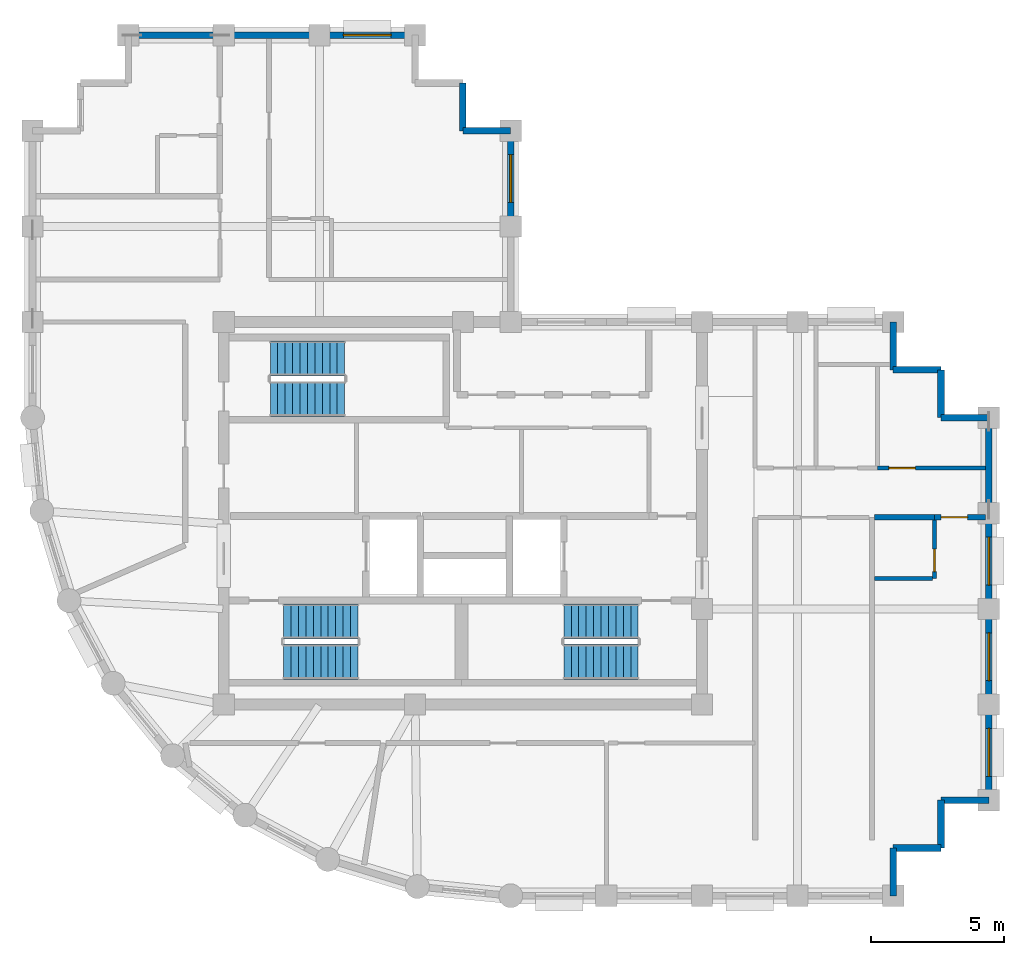
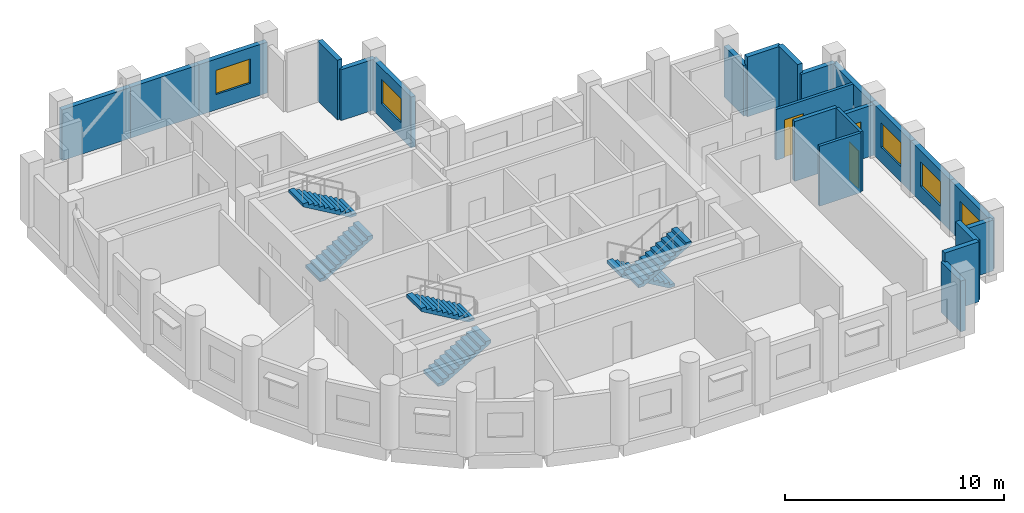
# One storey, part 5 of 7: 23 walls, 6 stair flights, 5 windows, 3 doors, 8 openings, 3 elements without a shape of their own.
"""IFC4 building model written with IfcOpenShell, lengths in metres."""

from ifc_helpers import new_model, si_unit, direction, frame, frame_2d, origin, place, context, subcontext, project, spatial, polyline, rectangle, outline, extrude, material, layer, layer_set, type_object, element, fill, aggregate, save


model = new_model("IFC4")

# Units and contexts
model_context = context("Model", 3, precision=1e-05, world=origin(), true_north=direction((0.0, 1.0)))
body_context = subcontext(model_context, "Body", "Model", "MODEL_VIEW")
ifc_project = project(units=[si_unit("LENGTHUNIT", "METRE"), si_unit("AREAUNIT", "SQUARE_METRE"), si_unit("VOLUMEUNIT", "CUBIC_METRE"), si_unit("PLANEANGLEUNIT", "RADIAN"), si_unit("MASSUNIT", "GRAM", prefix="KILO")], contexts=[model_context])

# Site, building, storey
site_placement = place(None, origin())
site = spatial("IfcSite", under=ifc_project, at=site_placement, CompositionType="ELEMENT")
building_placement = place(site_placement, origin())
building = spatial("IfcBuilding", under=site, at=building_placement, Name="Solnavia Interchange Tower", CompositionType="ELEMENT")
storey_placement = place(building_placement, frame((0.0, 0.0, 235.39990234375)))
storey = spatial("IfcBuildingStorey", under=building, at=storey_placement, Name="L59", CompositionType="ELEMENT", Elevation=235.39990234375)

# Wall
ifc_material_1 = material(Name="Gypsum Acoustic Twin-Stud & Mineral Wool", Category="gypsum")
ifc_layer_1 = layer(ifc_material_1, 0.199951171875)
ifc_layer_set_1 = layer_set([ifc_layer_1], Name="Gypsum Acoustic Twin-Stud & Mineral Wool")
wall_type_1 = type_object("IfcWallType", Name="Wall-ApartmentParty-200", PredefinedType="PARTITIONING", material=ifc_layer_set_1)
wall_1_placement = place(storey_placement, frame((38.904052734375, 17.85009765625, 0.0), z_axis=(0.0, 0.0, 1.0), x_axis=(1.0, 0.0, 0.0)))
element("IfcWall", 1, at=wall_1_placement, inside=storey, type_object=wall_type_1, Name="PTW-L59-20 Interior partition wall", PredefinedType="PARTITIONING", context=body_context, shape_type="SweptSolid", body=[
    extrude(rectangle(XDim=2.245849609375, YDim=0.199951171875, at=frame_2d((1.123046875, 0.0))), origin(), (0.0, 0.0, 1.0), 3.335205078125),
])

# Wall, opening, door
wall_2_placement = place(storey_placement, frame((41.14990234375, 17.85009765625, 0.0), z_axis=(0.0, 0.0, 1.0), x_axis=(1.0, 0.0, 0.0)))
wall_2 = element("IfcWall", 2, at=wall_2_placement, inside=storey, type_object=wall_type_1, Name="PTW-L59-21 Interior partition wall", PredefinedType="PARTITIONING", context=body_context, shape_type="SweptSolid", body=[
    extrude(rectangle(XDim=1.921142578125, YDim=0.199951171875, at=frame_2d((0.96044921875, 0.0))), origin(), (0.0, 0.0, 1.0), 2.830078125),
])
opening_1_placement = place(wall_2_placement, frame((0.25, 0.0, 0.0)))
opening_1 = element("IfcOpeningElement", 3, at=opening_1_placement, cuts=wall_2, Name="Opening DR-06", PredefinedType="OPENING", context=body_context, shape_type="SweptSolid", body=[
    extrude(rectangle(XDim=1.0, YDim=2.10009765625, at=frame_2d((0.5, 1.050048828125))), frame((0.0, 0.10986328125, 0.0), z_axis=(0.0, -1.0, 0.0), x_axis=(1.0, 0.0, 0.0)), (0.0, 0.0, 1.0), 0.219970703125),
])
ifc_material_2 = material(Name="Engineered Timber Acoustic Fire Door", Category="wood")
door_type_1 = type_object("IfcDoorType", Name="Door-FlatEntry-1000x2100", OperationType="SINGLE_SWING_LEFT", PredefinedType="DOOR", material=ifc_material_2)
door_1_placement = place(opening_1_placement, origin())
door_1 = element("IfcDoor", 4, at=door_1_placement, inside=storey, type_object=door_type_1, Name="DR-L59-09 Interior room door", OperationType="SINGLE_SWING_LEFT", OverallHeight=2.10009765625, OverallWidth=1.0, PredefinedType="DOOR", context=body_context, shape_type="SweptSolid", body=[
    extrude(rectangle(XDim=1.0, YDim=2.10009765625, at=frame_2d((0.5, 1.050048828125))), frame((0.0, 0.02490234375, 0.0), z_axis=(0.0, -1.0, 0.0), x_axis=(1.0, 0.0, 0.0)), (0.0, 0.0, 1.0), 0.050048828125),
])
fill(opening_1, door_1)

# Walls
ifc_material_3 = material(Name="Concrete C40/50", Category="concrete")
ifc_layer_2 = layer(ifc_material_3, 0.25)
ifc_layer_set_2 = layer_set([ifc_layer_2], Name="Concrete C40/50")
wall_type_2 = type_object("IfcWallType", Name="Wall-ExtSpandrel-250", PredefinedType="STANDARD", material=ifc_layer_set_2)
wall_3_placement = place(storey_placement, frame((39.60009765625, 5.39990234375, 0.0), z_axis=(0.0, 0.0, 1.0), x_axis=(0.0, -1.0, 0.0)))
element("IfcWall", 5, at=wall_3_placement, inside=storey, type_object=wall_type_2, Name="EXW-L59-05 Exterior precast spandrel wall", PredefinedType="STANDARD", context=body_context, shape_type="SweptSolid", body=[
    extrude(rectangle(XDim=1.7998046875, YDim=0.25, at=frame_2d((0.89990234375, 0.0))), origin(), (0.0, 0.0, 1.0), 2.830078125),
])
wall_4_placement = place(storey_placement, frame((41.39990234375, 5.39990234375, 0.0), z_axis=(0.0, 0.0, 1.0), x_axis=(-1.0, 0.0, 0.0)))
element("IfcWall", 6, at=wall_4_placement, inside=storey, type_object=wall_type_2, Name="EXW-L59-06 Exterior precast spandrel wall", PredefinedType="STANDARD", context=body_context, shape_type="SweptSolid", body=[
    extrude(rectangle(XDim=1.7998046875, YDim=0.25, at=frame_2d((0.89990234375, 0.0))), origin(), (0.0, 0.0, 1.0), 3.335205078125),
])
wall_5_placement = place(storey_placement, frame((41.39990234375, 7.199951171875, 0.0), z_axis=(0.0, 0.0, 1.0), x_axis=(0.0, -1.0, 0.0)))
element("IfcWall", 7, at=wall_5_placement, inside=storey, type_object=wall_type_2, Name="EXW-L59-07 Exterior precast spandrel wall", PredefinedType="STANDARD", context=body_context, shape_type="SweptSolid", body=[
    extrude(rectangle(XDim=1.800048828125, YDim=0.25, at=frame_2d((0.89990234375, 0.0))), origin(), (0.0, 0.0, 1.0), 3.335205078125),
])
wall_6_placement = place(storey_placement, frame((43.199951171875, 7.199951171875, 0.0), z_axis=(0.0, 0.0, 1.0), x_axis=(-1.0, 0.0, 0.0)))
element("IfcWall", 8, at=wall_6_placement, inside=storey, type_object=wall_type_2, Name="EXW-L59-08 Exterior precast spandrel wall", PredefinedType="STANDARD", context=body_context, shape_type="SweptSolid", body=[
    extrude(rectangle(XDim=1.800048828125, YDim=0.25, at=frame_2d((0.89990234375, 0.0))), origin(), (0.0, 0.0, 1.0), 2.830078125),
])

# Wall, opening, window
wall_7_placement = place(storey_placement, frame((43.199951171875, 10.800048828125, 0.0), z_axis=(0.0, 0.0, 1.0), x_axis=(0.0, -1.0, 0.0)))
wall_7 = element("IfcWall", 9, at=wall_7_placement, inside=storey, type_object=wall_type_2, Name="EXW-L59-09 Exterior precast spandrel wall", PredefinedType="STANDARD", context=body_context, shape_type="SweptSolid", body=[
    extrude(rectangle(XDim=3.60009765625, YDim=0.25, at=frame_2d((1.800048828125, 0.0))), origin(), (0.0, 0.0, 1.0), 2.830078125),
])
opening_2_placement = place(wall_7_placement, frame((0.89990234375, 0.0, 0.85009765625)))
opening_2 = element("IfcOpeningElement", 10, at=opening_2_placement, cuts=wall_7, Name="Opening WIN-02", PredefinedType="OPENING", context=body_context, shape_type="SweptSolid", body=[
    extrude(rectangle(XDim=1.800048828125, YDim=1.35009765625, at=frame_2d((0.89990234375, 0.675048828125))), frame((0.0, 0.135009765625, 0.0), z_axis=(0.0, -1.0, 0.0), x_axis=(1.0, 0.0, 0.0)), (0.0, 0.0, 1.0), 0.27001953125),
])
ifc_material_4 = material(Name="Thermal-Break Aluminium & Low-E Glass", Category="aluminium")
window_type = type_object("IfcWindowType", Name="Window-Ribbon-1800x1350", PartitioningType="SINGLE_PANEL", PredefinedType="WINDOW", material=ifc_material_4)
window_1_placement = place(opening_2_placement, origin())
window_1 = element("IfcWindow", 11, at=window_1_placement, inside=storey, type_object=window_type, Name="WIN-L59-09 Facade ribbon window", OverallHeight=1.35009765625, OverallWidth=1.800048828125, PartitioningType="SINGLE_PANEL", PredefinedType="WINDOW", context=body_context, shape_type="SweptSolid", body=[
    extrude(rectangle(XDim=1.800048828125, YDim=1.35009765625, at=frame_2d((0.89990234375, 0.675048828125))), frame((0.0, 0.030029296875, 0.0), z_axis=(0.0, -1.0, 0.0), x_axis=(1.0, 0.0, 0.0)), (0.0, 0.0, 1.0), 0.06005859375),
])
fill(opening_2, window_1)

wall_8_placement = place(storey_placement, frame((43.199951171875, 14.39990234375, 0.0), z_axis=(0.0, 0.0, 1.0), x_axis=(0.0, -1.0, 0.0)))
wall_8 = element("IfcWall", 12, at=wall_8_placement, inside=storey, type_object=wall_type_2, Name="EXW-L59-10 Exterior precast spandrel wall", PredefinedType="STANDARD", context=body_context, shape_type="SweptSolid", body=[
    extrude(rectangle(XDim=3.599853515625, YDim=0.25, at=frame_2d((1.7998046875, 0.0))), origin(), (0.0, 0.0, 1.0), 2.830078125),
])
opening_3_placement = place(wall_8_placement, frame((0.89990234375, 0.0, 0.85009765625)))
opening_3 = element("IfcOpeningElement", 13, at=opening_3_placement, cuts=wall_8, Name="Opening WIN-02", PredefinedType="OPENING", context=body_context, shape_type="SweptSolid", body=[
    extrude(rectangle(XDim=1.800048828125, YDim=1.35009765625, at=frame_2d((0.89990234375, 0.675048828125))), frame((0.0, 0.135009765625, 0.0), z_axis=(0.0, -1.0, 0.0), x_axis=(1.0, 0.0, 0.0)), (0.0, 0.0, 1.0), 0.27001953125),
])
window_2_placement = place(opening_3_placement, origin())
window_2 = element("IfcWindow", 14, at=window_2_placement, inside=storey, type_object=window_type, Name="WIN-L59-10 Facade ribbon window", OverallHeight=1.35009765625, OverallWidth=1.800048828125, PartitioningType="SINGLE_PANEL", PredefinedType="WINDOW", context=body_context, shape_type="SweptSolid", body=[
    extrude(rectangle(XDim=1.800048828125, YDim=1.35009765625, at=frame_2d((0.89990234375, 0.675048828125))), frame((0.0, 0.030029296875, 0.0), z_axis=(0.0, -1.0, 0.0), x_axis=(1.0, 0.0, 0.0)), (0.0, 0.0, 1.0), 0.06005859375),
])
fill(opening_3, window_2)

wall_9_placement = place(storey_placement, frame((43.199951171875, 18.0, 0.0), z_axis=(0.0, 0.0, 1.0), x_axis=(0.0, -1.0, 0.0)))
wall_9 = element("IfcWall", 15, at=wall_9_placement, inside=storey, type_object=wall_type_2, Name="EXW-L59-11 Exterior precast spandrel wall", PredefinedType="STANDARD", context=body_context, shape_type="SweptSolid", body=[
    extrude(rectangle(XDim=3.60009765625, YDim=0.25, at=frame_2d((1.800048828125, 0.0))), origin(), (0.0, 0.0, 1.0), 2.830078125),
])
opening_4_placement = place(wall_9_placement, frame((0.89990234375, 0.0, 0.85009765625)))
opening_4 = element("IfcOpeningElement", 16, at=opening_4_placement, cuts=wall_9, Name="Opening WIN-02", PredefinedType="OPENING", context=body_context, shape_type="SweptSolid", body=[
    extrude(rectangle(XDim=1.800048828125, YDim=1.35009765625, at=frame_2d((0.89990234375, 0.675048828125))), frame((0.0, 0.135009765625, 0.0), z_axis=(0.0, -1.0, 0.0), x_axis=(1.0, 0.0, 0.0)), (0.0, 0.0, 1.0), 0.27001953125),
])
window_3_placement = place(opening_4_placement, origin())
window_3 = element("IfcWindow", 17, at=window_3_placement, inside=storey, type_object=window_type, Name="WIN-L59-11 Facade ribbon window", OverallHeight=1.35009765625, OverallWidth=1.800048828125, PartitioningType="SINGLE_PANEL", PredefinedType="WINDOW", context=body_context, shape_type="SweptSolid", body=[
    extrude(rectangle(XDim=1.800048828125, YDim=1.35009765625, at=frame_2d((0.89990234375, 0.675048828125))), frame((0.0, 0.030029296875, 0.0), z_axis=(0.0, -1.0, 0.0), x_axis=(1.0, 0.0, 0.0)), (0.0, 0.0, 1.0), 0.06005859375),
])
fill(opening_4, window_3)

# Walls
wall_10_placement = place(storey_placement, frame((43.199951171875, 21.60009765625, 0.0), z_axis=(0.0, 0.0, 1.0), x_axis=(0.0, -1.0, 0.0)))
element("IfcWall", 18, at=wall_10_placement, inside=storey, type_object=wall_type_2, Name="EXW-L59-12 Exterior precast spandrel wall", PredefinedType="STANDARD", context=body_context, shape_type="SweptSolid", body=[
    extrude(rectangle(XDim=3.60009765625, YDim=0.25, at=frame_2d((1.800048828125, 0.0))), origin(), (0.0, 0.0, 1.0), 2.830078125),
])
wall_11_placement = place(storey_placement, frame((41.39990234375, 21.60009765625, 0.0), z_axis=(0.0, 0.0, 1.0), x_axis=(1.0, 0.0, 0.0)))
element("IfcWall", 19, at=wall_11_placement, inside=storey, type_object=wall_type_2, Name="EXW-L59-13 Exterior precast spandrel wall", PredefinedType="STANDARD", context=body_context, shape_type="SweptSolid", body=[
    extrude(rectangle(XDim=1.800048828125, YDim=0.25, at=frame_2d((0.89990234375, 0.0))), origin(), (0.0, 0.0, 1.0), 2.830078125),
])
for number, where, z_axis, x_axis, name in (
    (20, (41.39990234375, 23.39990234375, 0.0), (0.0, 0.0, 1.0), (0.0, -1.0, 0.0), "EXW-L59-14 Exterior precast spandrel wall"),
    (21, (39.60009765625, 23.39990234375, 0.0), (0.0, 0.0, 1.0), (1.0, 0.0, 0.0), "EXW-L59-15 Exterior precast spandrel wall"),
):
    element("IfcWall", number, at=place(storey_placement, frame(where, z_axis=z_axis, x_axis=x_axis)), inside=storey, type_object=wall_type_2, Name=name, PredefinedType="STANDARD", context=body_context, shape_type="SweptSolid", body=[
        extrude(rectangle(XDim=1.7998046875, YDim=0.25, at=frame_2d((0.89990234375, 0.0))), origin(), (0.0, 0.0, 1.0), 3.335205078125),
    ])
wall_12_placement = place(storey_placement, frame((39.60009765625, 25.199951171875, 0.0), z_axis=(0.0, 0.0, 1.0), x_axis=(0.0, -1.0, 0.0)))
element("IfcWall", 22, at=wall_12_placement, inside=storey, type_object=wall_type_2, Name="EXW-L59-16 Exterior precast spandrel wall", PredefinedType="STANDARD", context=body_context, shape_type="SweptSolid", body=[
    extrude(rectangle(XDim=1.800048828125, YDim=0.25, at=frame_2d((0.89990234375, 0.0))), origin(), (0.0, 0.0, 1.0), 2.830078125),
])

# Wall, opening, window
wall_13_placement = place(storey_placement, frame((25.199951171875, 32.39990234375, 0.0), z_axis=(0.0, 0.0, 1.0), x_axis=(0.0, -1.0, 0.0)))
wall_13 = element("IfcWall", 23, at=wall_13_placement, inside=storey, type_object=wall_type_2, Name="EXW-L59-22 Exterior precast spandrel wall", PredefinedType="STANDARD", context=body_context, shape_type="SweptSolid", body=[
    extrude(rectangle(XDim=3.599853515625, YDim=0.25, at=frame_2d((1.7998046875, 0.0))), origin(), (0.0, 0.0, 1.0), 2.830078125),
])
opening_5_placement = place(wall_13_placement, frame((0.89990234375, 0.0, 0.85009765625)))
opening_5 = element("IfcOpeningElement", 24, at=opening_5_placement, cuts=wall_13, Name="Opening WIN-02", PredefinedType="OPENING", context=body_context, shape_type="SweptSolid", body=[
    extrude(rectangle(XDim=1.800048828125, YDim=1.35009765625, at=frame_2d((0.89990234375, 0.675048828125))), frame((0.0, 0.135009765625, 0.0), z_axis=(0.0, -1.0, 0.0), x_axis=(1.0, 0.0, 0.0)), (0.0, 0.0, 1.0), 0.27001953125),
])
window_4_placement = place(opening_5_placement, origin())
window_4 = element("IfcWindow", 25, at=window_4_placement, inside=storey, type_object=window_type, Name="WIN-L59-22 Facade ribbon window", OverallHeight=1.35009765625, OverallWidth=1.800048828125, PartitioningType="SINGLE_PANEL", PredefinedType="WINDOW", context=body_context, shape_type="SweptSolid", body=[
    extrude(rectangle(XDim=1.800048828125, YDim=1.35009765625, at=frame_2d((0.89990234375, 0.675048828125))), frame((0.0, 0.030029296875, 0.0), z_axis=(0.0, -1.0, 0.0), x_axis=(1.0, 0.0, 0.0)), (0.0, 0.0, 1.0), 0.06005859375),
])
fill(opening_5, window_4)

# Walls
wall_14_placement = place(storey_placement, frame((23.39990234375, 32.39990234375, 0.0), z_axis=(0.0, 0.0, 1.0), x_axis=(1.0, 0.0, 0.0)))
element("IfcWall", 26, at=wall_14_placement, inside=storey, type_object=wall_type_2, Name="EXW-L59-23 Exterior precast spandrel wall", PredefinedType="STANDARD", context=body_context, shape_type="SweptSolid", body=[
    extrude(rectangle(XDim=1.800048828125, YDim=0.25, at=frame_2d((0.89990234375, 0.0))), origin(), (0.0, 0.0, 1.0), 2.830078125),
])
wall_15_placement = place(storey_placement, frame((23.39990234375, 32.39990234375, 0.0), z_axis=(0.0, 0.0, 1.0), x_axis=(0.0, 1.0, 0.0)))
element("IfcWall", 27, at=wall_15_placement, inside=storey, type_object=wall_type_2, Name="EXW-L59-24 Exterior precast spandrel wall", PredefinedType="STANDARD", context=body_context, shape_type="SweptSolid", body=[
    extrude(rectangle(XDim=1.800048828125, YDim=0.25, at=frame_2d((0.89990234375, 0.0))), origin(), (0.0, 0.0, 1.0), 3.335205078125),
])

# Wall, opening, window
wall_16_placement = place(storey_placement, frame((18.0, 36.0, 0.0), z_axis=(0.0, 0.0, 1.0), x_axis=(1.0, 0.0, 0.0)))
wall_16 = element("IfcWall", 28, at=wall_16_placement, inside=storey, type_object=wall_type_2, Name="EXW-L59-27 Exterior precast spandrel wall", PredefinedType="STANDARD", context=body_context, shape_type="SweptSolid", body=[
    extrude(rectangle(XDim=3.60009765625, YDim=0.25, at=frame_2d((1.800048828125, 0.0))), origin(), (0.0, 0.0, 1.0), 2.830078125),
])
opening_6_placement = place(wall_16_placement, frame((0.89990234375, 0.0, 0.85009765625)))
opening_6 = element("IfcOpeningElement", 29, at=opening_6_placement, cuts=wall_16, Name="Opening WIN-02", PredefinedType="OPENING", context=body_context, shape_type="SweptSolid", body=[
    extrude(rectangle(XDim=1.800048828125, YDim=1.35009765625, at=frame_2d((0.89990234375, 0.675048828125))), frame((0.0, 0.135009765625, 0.0), z_axis=(0.0, -1.0, 0.0), x_axis=(1.0, 0.0, 0.0)), (0.0, 0.0, 1.0), 0.27001953125),
])
window_5_placement = place(opening_6_placement, origin())
window_5 = element("IfcWindow", 30, at=window_5_placement, inside=storey, type_object=window_type, Name="WIN-L59-27 Facade ribbon window", OverallHeight=1.35009765625, OverallWidth=1.800048828125, PartitioningType="SINGLE_PANEL", PredefinedType="WINDOW", context=body_context, shape_type="SweptSolid", body=[
    extrude(rectangle(XDim=1.800048828125, YDim=1.35009765625, at=frame_2d((0.89990234375, 0.675048828125))), frame((0.0, 0.030029296875, 0.0), z_axis=(0.0, -1.0, 0.0), x_axis=(1.0, 0.0, 0.0)), (0.0, 0.0, 1.0), 0.06005859375),
])
fill(opening_6, window_5)

# Walls
wall_17_placement = place(storey_placement, frame((14.39990234375, 36.0, 0.0), z_axis=(0.0, 0.0, 1.0), x_axis=(1.0, 0.0, 0.0)))
element("IfcWall", 31, at=wall_17_placement, inside=storey, type_object=wall_type_2, Name="EXW-L59-28 Exterior precast spandrel wall", PredefinedType="STANDARD", context=body_context, shape_type="SweptSolid", body=[
    extrude(rectangle(XDim=3.60009765625, YDim=0.25, at=frame_2d((1.800048828125, 0.0))), origin(), (0.0, 0.0, 1.0), 2.830078125),
])
wall_18_placement = place(storey_placement, frame((10.800048828125, 36.0, 0.0), z_axis=(0.0, 0.0, 1.0), x_axis=(1.0, 0.0, 0.0)))
element("IfcWall", 32, at=wall_18_placement, inside=storey, type_object=wall_type_2, Name="EXW-L59-29 Exterior precast spandrel wall", PredefinedType="STANDARD", context=body_context, shape_type="SweptSolid", body=[
    extrude(rectangle(XDim=3.599853515625, YDim=0.25, at=frame_2d((1.7998046875, 0.0))), origin(), (0.0, 0.0, 1.0), 2.830078125),
])

# Wall, opening, door
ifc_material_5 = material(Name="Gypsum Plasterboard & Steel Stud", Category="steel")
ifc_layer_3 = layer(ifc_material_5, 0.14990234375)
ifc_layer_set_3 = layer_set([ifc_layer_3], Name="Gypsum Plasterboard & Steel Stud")
wall_type_3 = type_object("IfcWallType", Name="Wall-Partition-150", PredefinedType="PARTITIONING", material=ifc_layer_set_3)
wall_19_placement = place(storey_placement, frame((39.0, 19.699951171875, 0.0), z_axis=(0.0, 0.0, 1.0), x_axis=(1.0, 0.0, 0.0)))
wall_19 = element("IfcWall", 33, at=wall_19_placement, inside=storey, type_object=wall_type_3, Name="PTW-L59-24 Interior partition wall", PredefinedType="PARTITIONING", context=body_context, shape_type="SweptSolid", body=[
    extrude(rectangle(XDim=4.071044921875, YDim=0.14990234375, at=frame_2d((2.03564453125, 0.0))), origin(), (0.0, 0.0, 1.0), 2.830078125),
])
opening_7_placement = place(wall_19_placement, frame((0.43798828125, 0.0, 0.0)))
opening_7 = element("IfcOpeningElement", 34, at=opening_7_placement, cuts=wall_19, Name="Opening DR-07", PredefinedType="OPENING", context=body_context, shape_type="SweptSolid", body=[
    extrude(rectangle(XDim=1.0, YDim=2.10009765625, at=frame_2d((0.5, 1.050048828125))), frame((0.0, 0.0849609375, 0.0), z_axis=(0.0, -1.0, 0.0), x_axis=(1.0, 0.0, 0.0)), (0.0, 0.0, 1.0), 0.169921875),
])
ifc_material_6 = material(Name="Timber & Acoustic Glazed Office Door", Category="wood")
door_type_2 = type_object("IfcDoorType", Name="Door-Office-1000x2100", OperationType="SINGLE_SWING_RIGHT", PredefinedType="DOOR", material=ifc_material_6)
door_2_placement = place(opening_7_placement, origin())
door_2 = element("IfcDoor", 35, at=door_2_placement, inside=storey, type_object=door_type_2, Name="DR-L59-11 Interior room door", OperationType="SINGLE_SWING_RIGHT", OverallHeight=2.10009765625, OverallWidth=1.0, PredefinedType="DOOR", context=body_context, shape_type="SweptSolid", body=[
    extrude(rectangle(XDim=1.0, YDim=2.10009765625, at=frame_2d((0.5, 1.050048828125))), frame((0.0, 0.02490234375, 0.0), z_axis=(0.0, -1.0, 0.0), x_axis=(1.0, 0.0, 0.0)), (0.0, 0.0, 1.0), 0.050048828125),
])
fill(opening_7, door_2)

ifc_material_7 = material(Name="Moisture-Resistant Gypsum & Steel Stud", Category="steel")
ifc_layer_4 = layer(ifc_material_7, 0.14990234375)
ifc_layer_set_4 = layer_set([ifc_layer_4], Name="Moisture-Resistant Gypsum & Steel Stud")
wall_type_4 = type_object("IfcWallType", Name="Wall-WetRoom-150", PredefinedType="PARTITIONING", material=ifc_layer_set_4)
wall_20_placement = place(storey_placement, frame((41.14990234375, 15.550048828125, 0.0), z_axis=(0.0, 0.0, 1.0), x_axis=(0.0, 1.0, 0.0)))
wall_20 = element("IfcWall", 36, at=wall_20_placement, inside=storey, type_object=wall_type_4, Name="PTW-L59-22 Interior partition wall", PredefinedType="PARTITIONING", context=body_context, shape_type="SweptSolid", body=[
    extrude(rectangle(XDim=2.196044921875, YDim=0.14990234375, at=frame_2d((1.09814453125, 0.0))), origin(), (0.0, 0.0, 1.0), 3.335205078125),
])
opening_8_placement = place(wall_20_placement, frame((0.25, 0.0, 0.0)))
opening_8 = element("IfcOpeningElement", 37, at=opening_8_placement, cuts=wall_20, Name="Opening DR-10", PredefinedType="OPENING", context=body_context, shape_type="SweptSolid", body=[
    extrude(rectangle(XDim=0.85009765625, YDim=2.10009765625, at=frame_2d((0.425048828125, 1.050048828125))), frame((0.0, 0.0849609375, 0.0), z_axis=(0.0, -1.0, 0.0), x_axis=(1.0, 0.0, 0.0)), (0.0, 0.0, 1.0), 0.169921875),
])
ifc_material_8 = material(Name="Moisture-Resistant Timber Door", Category="wood")
door_type_3 = type_object("IfcDoorType", Name="Door-Bathroom-850x2100", OperationType="SINGLE_SWING_RIGHT", PredefinedType="DOOR", material=ifc_material_8)
door_3_placement = place(opening_8_placement, origin())
door_3 = element("IfcDoor", 38, at=door_3_placement, inside=storey, type_object=door_type_3, Name="DR-L59-10 Interior room door", OperationType="SINGLE_SWING_RIGHT", OverallHeight=2.10009765625, OverallWidth=0.85009765625, PredefinedType="DOOR", context=body_context, shape_type="SweptSolid", body=[
    extrude(rectangle(XDim=0.85009765625, YDim=2.10009765625, at=frame_2d((0.425048828125, 1.050048828125))), frame((0.0, 0.02490234375, 0.0), z_axis=(0.0, -1.0, 0.0), x_axis=(1.0, 0.0, 0.0)), (0.0, 0.0, 1.0), 0.050048828125),
])
fill(opening_8, door_3)

# Wall
wall_21_placement = place(storey_placement, frame((38.904052734375, 15.550048828125, 0.0), z_axis=(0.0, 0.0, 1.0), x_axis=(1.0, 0.0, 0.0)))
element("IfcWall", 39, at=wall_21_placement, inside=storey, type_object=wall_type_4, Name="PTW-L59-23 Interior partition wall", PredefinedType="PARTITIONING", context=body_context, shape_type="SweptSolid", body=[
    extrude(rectangle(XDim=2.1669921875, YDim=0.14990234375, at=frame_2d((1.08349609375, 0.0))), origin(), (0.0, 0.0, 1.0), 3.335205078125),
])

# Stair, stair flights
stair_type = type_object("IfcStairType", Name="Stair-Dogleg-RC", PredefinedType="HALF_TURN_STAIR", material=ifc_material_3)
stair_1_placement = place(storey_placement, origin())
stair_1 = element("IfcStair", 40, at=stair_1_placement, inside=storey, type_object=stair_type, Name="L59 Core exit stair 1", PredefinedType="HALF_TURN_STAIR")
stair_flight_type = type_object("IfcStairFlightType", Name="StairFlight-RC-150", PredefinedType="STRAIGHT", material=ifc_material_3)
stair_flight_1_placement = place(storey_placement, frame((16.64990234375, 12.409912109375, 0.0), z_axis=(0.0, 0.0, 1.0), x_axis=(1.0, 0.0, 0.0)))
stair_flight_1 = element("IfcStairFlight", 41, at=stair_flight_1_placement, type_object=stair_flight_type, Name="ST-1 flight 1", NumberOfRisers=11, NumberOfTreads=10, PredefinedType="STRAIGHT", RiserHeight=0.163636364, TreadLength=0.28, context=body_context, shape_type="SweptSolid", body=[
    extrude(outline(polyline([(0.0, 0.0), (0.0, 0.16357421875), (0.280029296875, 0.16357421875), (0.280029296875, 0.327392578125), (0.56005859375, 0.327392578125), (0.56005859375, 0.490966796875), (0.840087890625, 0.490966796875), (0.840087890625, 0.654541015625), (1.1201171875, 0.654541015625), (1.1201171875, 0.818115234375), (1.39990234375, 0.818115234375), (1.39990234375, 0.98193359375), (1.679931640625, 0.98193359375), (1.679931640625, 1.1455078125), (1.9599609375, 1.1455078125), (1.9599609375, 1.30908203125), (2.239990234375, 1.30908203125), (2.239990234375, 1.47265625), (2.52001953125, 1.47265625), (2.52001953125, 1.636474609375), (2.800048828125, 1.636474609375), (2.800048828125, 1.800048828125), (2.800048828125, 1.462646484375), (0.297119140625, 0.0), (0.0, 0.0)])), frame((0.0, 0.66015625, 0.0), z_axis=(0.0, -1.0, 0.0), x_axis=(1.0, 0.0, 0.0)), (0.0, 0.0, 1.0), 1.320068359375),
])
stair_flight_2_placement = place(storey_placement, frame((19.449951171875, 13.929931640625, 1.800048828125), z_axis=(0.0, 0.0, 1.0), x_axis=(-1.0, 0.0, 0.0)))
stair_flight_2 = element("IfcStairFlight", 42, at=stair_flight_2_placement, type_object=stair_flight_type, Name="ST-1 flight 2", NumberOfRisers=11, NumberOfTreads=10, PredefinedType="STRAIGHT", RiserHeight=0.163636364, TreadLength=0.28, context=body_context, shape_type="SweptSolid", body=[
    extrude(outline(polyline([(0.0, 0.0), (0.0, 0.16357421875), (0.280029296875, 0.16357421875), (0.280029296875, 0.327392578125), (0.56005859375, 0.327392578125), (0.56005859375, 0.490966796875), (0.840087890625, 0.490966796875), (0.840087890625, 0.654541015625), (1.1201171875, 0.654541015625), (1.1201171875, 0.818115234375), (1.39990234375, 0.818115234375), (1.39990234375, 0.98193359375), (1.679931640625, 0.98193359375), (1.679931640625, 1.1455078125), (1.9599609375, 1.1455078125), (1.9599609375, 1.30908203125), (2.239990234375, 1.30908203125), (2.239990234375, 1.47265625), (2.52001953125, 1.47265625), (2.52001953125, 1.636474609375), (2.800048828125, 1.636474609375), (2.800048828125, 1.800048828125), (2.800048828125, 1.462646484375), (0.297119140625, 0.0), (0.0, 0.0)])), frame((0.0, 0.66015625, 0.0), z_axis=(0.0, -1.0, 0.0), x_axis=(1.0, 0.0, 0.0)), (0.0, 0.0, 1.0), 1.320068359375),
])
aggregate(stair_1, [stair_flight_1, stair_flight_2])

stair_2_placement = place(storey_placement, origin())
stair_2 = element("IfcStair", 43, at=stair_2_placement, inside=storey, type_object=stair_type, Name="L59 Core exit stair 2", PredefinedType="HALF_TURN_STAIR")
stair_flight_3_placement = place(storey_placement, frame((30.0, 13.929931640625, 0.0), z_axis=(0.0, 0.0, 1.0), x_axis=(-1.0, 0.0, 0.0)))
stair_flight_3 = element("IfcStairFlight", 44, at=stair_flight_3_placement, type_object=stair_flight_type, Name="ST-2 flight 1", NumberOfRisers=11, NumberOfTreads=10, PredefinedType="STRAIGHT", RiserHeight=0.163636364, TreadLength=0.28, context=body_context, shape_type="SweptSolid", body=[
    extrude(outline(polyline([(0.0, 0.0), (0.0, 0.16357421875), (0.280029296875, 0.16357421875), (0.280029296875, 0.327392578125), (0.56005859375, 0.327392578125), (0.56005859375, 0.490966796875), (0.840087890625, 0.490966796875), (0.840087890625, 0.654541015625), (1.1201171875, 0.654541015625), (1.1201171875, 0.818115234375), (1.39990234375, 0.818115234375), (1.39990234375, 0.98193359375), (1.679931640625, 0.98193359375), (1.679931640625, 1.1455078125), (1.9599609375, 1.1455078125), (1.9599609375, 1.30908203125), (2.239990234375, 1.30908203125), (2.239990234375, 1.47265625), (2.52001953125, 1.47265625), (2.52001953125, 1.636474609375), (2.800048828125, 1.636474609375), (2.800048828125, 1.800048828125), (2.800048828125, 1.462646484375), (0.297119140625, 0.0), (0.0, 0.0)])), frame((0.0, 0.66015625, 0.0), z_axis=(0.0, -1.0, 0.0), x_axis=(1.0, 0.0, 0.0)), (0.0, 0.0, 1.0), 1.320068359375),
])
stair_flight_4_placement = place(storey_placement, frame((27.199951171875, 12.409912109375, 1.800048828125), z_axis=(0.0, 0.0, 1.0), x_axis=(1.0, 0.0, 0.0)))
stair_flight_4 = element("IfcStairFlight", 45, at=stair_flight_4_placement, type_object=stair_flight_type, Name="ST-2 flight 2", NumberOfRisers=11, NumberOfTreads=10, PredefinedType="STRAIGHT", RiserHeight=0.163636364, TreadLength=0.28, context=body_context, shape_type="SweptSolid", body=[
    extrude(outline(polyline([(0.0, 0.0), (0.0, 0.16357421875), (0.280029296875, 0.16357421875), (0.280029296875, 0.327392578125), (0.56005859375, 0.327392578125), (0.56005859375, 0.490966796875), (0.840087890625, 0.490966796875), (0.840087890625, 0.654541015625), (1.1201171875, 0.654541015625), (1.1201171875, 0.818115234375), (1.39990234375, 0.818115234375), (1.39990234375, 0.98193359375), (1.679931640625, 0.98193359375), (1.679931640625, 1.1455078125), (1.9599609375, 1.1455078125), (1.9599609375, 1.30908203125), (2.239990234375, 1.30908203125), (2.239990234375, 1.47265625), (2.52001953125, 1.47265625), (2.52001953125, 1.636474609375), (2.800048828125, 1.636474609375), (2.800048828125, 1.800048828125), (2.800048828125, 1.462646484375), (0.297119140625, 0.0), (0.0, 0.0)])), frame((0.0, 0.66015625, 0.0), z_axis=(0.0, -1.0, 0.0), x_axis=(1.0, 0.0, 0.0)), (0.0, 0.0, 1.0), 1.320068359375),
])
aggregate(stair_2, [stair_flight_3, stair_flight_4])

stair_3_placement = place(storey_placement, origin())
stair_3 = element("IfcStair", 46, at=stair_3_placement, inside=storey, type_object=stair_type, Name="L59 Core exit stair 3", PredefinedType="HALF_TURN_STAIR")
stair_flight_5_placement = place(storey_placement, frame((16.14990234375, 22.31005859375, 0.0), z_axis=(0.0, 0.0, 1.0), x_axis=(1.0, 0.0, 0.0)))
stair_flight_5 = element("IfcStairFlight", 47, at=stair_flight_5_placement, type_object=stair_flight_type, Name="ST-3 flight 1", NumberOfRisers=11, NumberOfTreads=10, PredefinedType="STRAIGHT", RiserHeight=0.163636364, TreadLength=0.28, context=body_context, shape_type="SweptSolid", body=[
    extrude(outline(polyline([(0.0, 0.0), (0.0, 0.16357421875), (0.280029296875, 0.16357421875), (0.280029296875, 0.327392578125), (0.56005859375, 0.327392578125), (0.56005859375, 0.490966796875), (0.840087890625, 0.490966796875), (0.840087890625, 0.654541015625), (1.1201171875, 0.654541015625), (1.1201171875, 0.818115234375), (1.39990234375, 0.818115234375), (1.39990234375, 0.98193359375), (1.679931640625, 0.98193359375), (1.679931640625, 1.1455078125), (1.9599609375, 1.1455078125), (1.9599609375, 1.30908203125), (2.239990234375, 1.30908203125), (2.239990234375, 1.47265625), (2.52001953125, 1.47265625), (2.52001953125, 1.636474609375), (2.800048828125, 1.636474609375), (2.800048828125, 1.800048828125), (2.800048828125, 1.462646484375), (0.297119140625, 0.0), (0.0, 0.0)])), frame((0.0, 0.66015625, 0.0), z_axis=(0.0, -1.0, 0.0), x_axis=(1.0, 0.0, 0.0)), (0.0, 0.0, 1.0), 1.320068359375),
])
stair_flight_6_placement = place(storey_placement, frame((18.949951171875, 23.830078125, 1.800048828125), z_axis=(0.0, 0.0, 1.0), x_axis=(-1.0, 0.0, 0.0)))
stair_flight_6 = element("IfcStairFlight", 48, at=stair_flight_6_placement, type_object=stair_flight_type, Name="ST-3 flight 2", NumberOfRisers=11, NumberOfTreads=10, PredefinedType="STRAIGHT", RiserHeight=0.163636364, TreadLength=0.28, context=body_context, shape_type="SweptSolid", body=[
    extrude(outline(polyline([(0.0, 0.0), (0.0, 0.16357421875), (0.280029296875, 0.16357421875), (0.280029296875, 0.327392578125), (0.56005859375, 0.327392578125), (0.56005859375, 0.490966796875), (0.840087890625, 0.490966796875), (0.840087890625, 0.654541015625), (1.1201171875, 0.654541015625), (1.1201171875, 0.818115234375), (1.39990234375, 0.818115234375), (1.39990234375, 0.98193359375), (1.679931640625, 0.98193359375), (1.679931640625, 1.1455078125), (1.9599609375, 1.1455078125), (1.9599609375, 1.30908203125), (2.239990234375, 1.30908203125), (2.239990234375, 1.47265625), (2.52001953125, 1.47265625), (2.52001953125, 1.636474609375), (2.800048828125, 1.636474609375), (2.800048828125, 1.800048828125), (2.800048828125, 1.462646484375), (0.297119140625, 0.0), (0.0, 0.0)])), frame((0.0, 0.66015625, 0.0), z_axis=(0.0, -1.0, 0.0), x_axis=(1.0, 0.0, 0.0)), (0.0, 0.0, 1.0), 1.320068359375),
])
aggregate(stair_3, [stair_flight_5, stair_flight_6])

save(model, "model.ifc")
